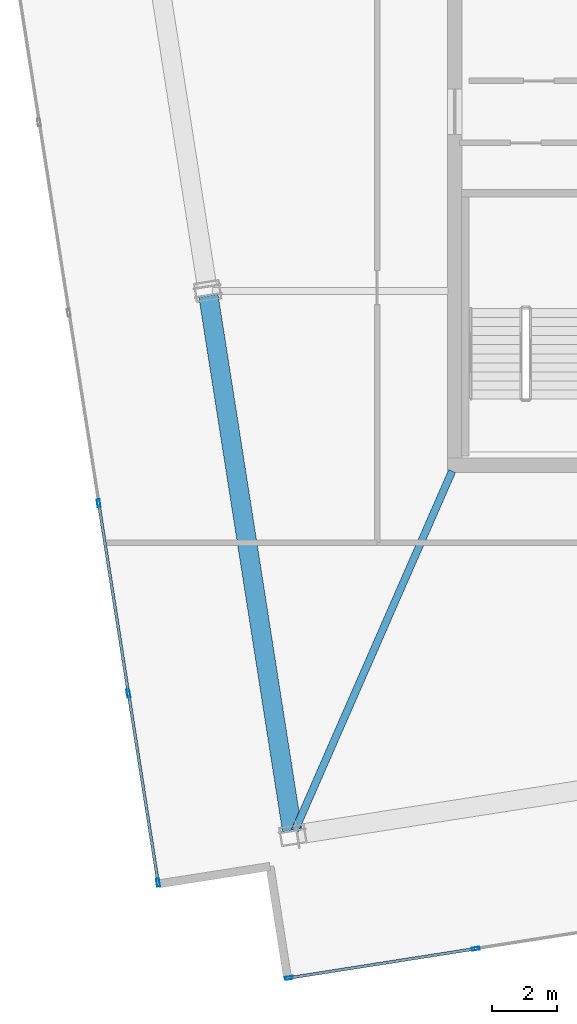
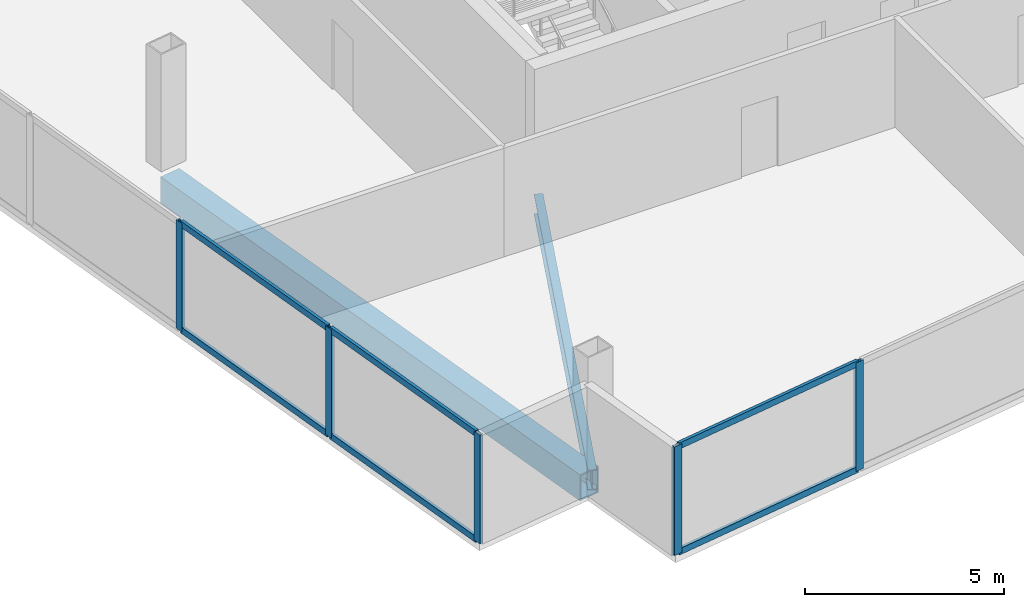
# One storey, part 2 of 17: 11 members, 2 beams, 2 elements without a shape of their own.
"""IFC4 building model written with IfcOpenShell, lengths in metres."""

from ifc_helpers import new_model, si_unit, direction, frame, origin, origin_2d, place, context, subcontext, project, spatial, hollow_rectangle, i_section, extrude, material, material_profile, profile_set, type_object, element, aggregate, save


model = new_model("IFC4")

# Units and contexts
model_context = context("Model", 3, precision=1e-05, world=origin(), true_north=direction((0.0, 1.0)))
body_context = subcontext(model_context, "Body", "Model", "MODEL_VIEW")
ifc_project = project(units=[si_unit("LENGTHUNIT", "METRE"), si_unit("AREAUNIT", "SQUARE_METRE"), si_unit("VOLUMEUNIT", "CUBIC_METRE"), si_unit("PLANEANGLEUNIT", "RADIAN"), si_unit("MASSUNIT", "GRAM", prefix="KILO")], contexts=[model_context])

# Site, building, storey
site_placement = place(None, origin())
site = spatial("IfcSite", under=ifc_project, at=site_placement, CompositionType="ELEMENT")
building_placement = place(site_placement, origin())
building = spatial("IfcBuilding", under=site, at=building_placement, Name="Haldenkirk Collegiate Tower", CompositionType="ELEMENT")
storey_placement = place(building_placement, frame((0.0, 0.0, 367.800048828125)))
storey = spatial("IfcBuildingStorey", under=building, at=storey_placement, Name="L93", CompositionType="ELEMENT", Elevation=367.800048828125)

# Beams
ifc_material_1 = material(Name="Steel ASTM A992 Grade 50", Category="steel")
ifc_material_profile_1 = material_profile(ifc_material_1, i_section(OverallWidth=0.22998046875, OverallDepth=0.616943359375, WebThickness=0.01318359375, FlangeThickness=0.022216796875, at=origin_2d()), Name="W24X94")
ifc_profile_set_1 = profile_set([ifc_material_profile_1], Name="Steel ASTM A992 Grade 50")
beam_type_1 = type_object("IfcBeamType", Name="BM-GIRDER-W24X94", PredefinedType="BEAM", material=ifc_profile_set_1)
beam_1_placement = place(storey_placement, frame((22.05078125, 6.685791015625, -0.57861328125), z_axis=(0.400769288395, 0.916179009517, 0.0), x_axis=(-0.916179009517, 0.400769288395, 0.0)))
element("IfcBeam", 1, at=beam_1_placement, inside=storey, type_object=beam_type_1, Name="L93 crown radial floor beam 7", PredefinedType="BEAM", context=body_context, shape_type="SweptSolid", body=[
    extrude(i_section(OverallWidth=0.22998046875, OverallDepth=0.616943359375, WebThickness=0.01318359375, FlangeThickness=0.022216796875, at=origin_2d()), origin(), (0.0, 0.0, 1.0), 12.1494140625),
])
ifc_material_2 = material(Name="Steel ASTM A572 Grade 50", Category="steel")
ifc_material_profile_2 = material_profile(ifc_material_2, hollow_rectangle(XDim=0.60009765625, YDim=0.800048828125, WallThickness=0.0400390625, at=origin_2d()), Name="BOX800X600X40")
ifc_profile_set_2 = profile_set([ifc_material_profile_2], Name="Steel ASTM A572 Grade 50")
beam_type_2 = type_object("IfcBeamType", Name="BM-SPANDREL-BOX800X600X40", PredefinedType="SPANDREL", material=ifc_profile_set_2)
beam_2_placement = place(storey_placement, frame((19.376220703125, 23.244873046875, -0.670166015625), z_axis=(0.154705009471, -0.987960707743, 0.0), x_axis=(0.987960707743, 0.154705009471, 0.0)))
element("IfcBeam", 2, at=beam_2_placement, inside=storey, type_object=beam_type_2, Name="L93 Crown Ring Frame perimeter girder 6", PredefinedType="SPANDREL", context=body_context, shape_type="SweptSolid", body=[
    extrude(hollow_rectangle(XDim=0.60009765625, YDim=0.800048828125, WallThickness=0.0400390625, at=origin_2d()), origin(), (0.0, 0.0, 1.0), 16.75),
])

# Curtain wall, members
ifc_material_3 = material(Name="Anodised architectural bronze aluminium", Category="aluminium")
curtain_wall_type = type_object("IfcCurtainWallType", Name="CW-SYS6-CROWN", PredefinedType="USERDEFINED", material=ifc_material_3)
curtain_wall_1_placement = place(storey_placement, origin())
curtain_wall_1 = element("IfcCurtainWall", 3, at=curtain_wall_1_placement, inside=storey, type_object=curtain_wall_type, Name="L93 Closed crown ring ceramic-fritted bronze screen curtain wall", ObjectType="UNITISED CURTAIN WALL", PredefinedType="USERDEFINED")
ifc_material_profile_3 = material_profile(ifc_material_3, hollow_rectangle(XDim=0.090087890625, YDim=0.239990234375, WallThickness=0.0048828125, at=origin_2d()), Name="CW-MUL-06")
ifc_profile_set_3 = profile_set([ifc_material_profile_3], Name="Anodised architectural bronze aluminium")
member_type_1 = type_object("IfcMemberType", Name="CW-MUL-06", PredefinedType="MULLION", material=ifc_profile_set_3)
member_1_placement = place(storey_placement, frame((17.817626953125, 5.080078125, 0.0), z_axis=(0.0, 0.0, 1.0), x_axis=(-0.987959532462, -0.154712514742, 0.0)))
member_1 = element("IfcMember", 4, at=member_1_placement, type_object=member_type_1, Name="CW-06 mullion 1", PredefinedType="MULLION", context=body_context, shape_type="SweptSolid", body=[
    extrude(hollow_rectangle(XDim=0.090087890625, YDim=0.239990234375, WallThickness=0.0048828125, at=origin_2d()), origin(), (0.0, 0.0, 1.0), 3.329833984375),
])
member_2_placement = place(storey_placement, frame((16.9013671875, 10.930419921875, 0.0), z_axis=(0.0, 0.0, 1.0), x_axis=(-0.987959532462, -0.154712514742, 0.0)))
member_2 = element("IfcMember", 5, at=member_2_placement, type_object=member_type_1, Name="CW-06 mullion 2", PredefinedType="MULLION", context=body_context, shape_type="SweptSolid", body=[
    extrude(hollow_rectangle(XDim=0.090087890625, YDim=0.239990234375, WallThickness=0.0048828125, at=origin_2d()), origin(), (0.0, 0.0, 1.0), 3.329833984375),
])
member_3_placement = place(storey_placement, frame((15.978271484375, 16.825439453125, 0.0), z_axis=(0.0, 0.0, 1.0), x_axis=(-0.987959532462, -0.154712514742, 0.0)))
member_3 = element("IfcMember", 6, at=member_3_placement, type_object=member_type_1, Name="CW-06 mullion 3", PredefinedType="MULLION", context=body_context, shape_type="SweptSolid", body=[
    extrude(hollow_rectangle(XDim=0.090087890625, YDim=0.239990234375, WallThickness=0.0048828125, at=origin_2d()), origin(), (0.0, 0.0, 1.0), 3.329833984375),
])

curtain_wall_2_placement = place(storey_placement, origin())
curtain_wall_2 = element("IfcCurtainWall", 7, at=curtain_wall_2_placement, inside=storey, type_object=curtain_wall_type, Name="L93 Closed crown ring ceramic-fritted bronze screen curtain wall", ObjectType="UNITISED CURTAIN WALL", PredefinedType="USERDEFINED")
member_4_placement = place(storey_placement, frame((27.65283203125, 3.031982421875, 0.0), z_axis=(0.0, 0.0, 1.0), x_axis=(0.154708982189, -0.987960085646, 0.0)))
member_4 = element("IfcMember", 8, at=member_4_placement, type_object=member_type_1, Name="CW-06 mullion 6", PredefinedType="MULLION", context=body_context, shape_type="SweptSolid", body=[
    extrude(hollow_rectangle(XDim=0.090087890625, YDim=0.239990234375, WallThickness=0.0048828125, at=origin_2d()), origin(), (0.0, 0.0, 1.0), 3.329833984375),
])
member_5_placement = place(storey_placement, frame((21.868408203125, 2.126220703125, 0.0), z_axis=(0.0, 0.0, 1.0), x_axis=(0.154708982189, -0.987960085646, 0.0)))
member_5 = element("IfcMember", 9, at=member_5_placement, type_object=member_type_1, Name="CW-06 mullion 7", PredefinedType="MULLION", context=body_context, shape_type="SweptSolid", body=[
    extrude(hollow_rectangle(XDim=0.090087890625, YDim=0.239990234375, WallThickness=0.0048828125, at=origin_2d()), origin(), (0.0, 0.0, 1.0), 3.329833984375),
])

# Member
ifc_material_profile_4 = material_profile(ifc_material_3, hollow_rectangle(XDim=0.090087890625, YDim=0.18994140625, WallThickness=0.0048828125, at=origin_2d()), Name="CW-TRN-06")
ifc_profile_set_4 = profile_set([ifc_material_profile_4], Name="Anodised architectural bronze aluminium")
member_type_2 = type_object("IfcMemberType", Name="CW-TRN-06", PredefinedType="USERDEFINED", material=ifc_profile_set_4)
member_6_placement = place(storey_placement, frame((17.810791015625, 5.12451171875, 0.044921875), z_axis=(-0.154730622105, 0.987956696714, 0.0), x_axis=(-0.987956696714, -0.154730622105, 0.0)))
member_6 = element("IfcMember", 10, at=member_6_placement, type_object=member_type_2, Name="CW-06 transom 1.1", ObjectType="TRANSOM", PredefinedType="USERDEFINED", context=body_context, shape_type="SweptSolid", body=[
    extrude(hollow_rectangle(XDim=0.090087890625, YDim=0.18994140625, WallThickness=0.0048828125, at=origin_2d()), origin(), (0.0, 0.0, 1.0), 5.831787109375),
])

member_7_placement = place(storey_placement, frame((17.810791015625, 5.12451171875, 3.284912109375), z_axis=(-0.154730622105, 0.987956696714, 0.0), x_axis=(-0.987956696714, -0.154730622105, 0.0)))
member_7 = element("IfcMember", 11, at=member_7_placement, type_object=member_type_2, Name="CW-06 transom 1.2", ObjectType="TRANSOM", PredefinedType="USERDEFINED", context=body_context, shape_type="SweptSolid", body=[
    extrude(hollow_rectangle(XDim=0.090087890625, YDim=0.18994140625, WallThickness=0.0048828125, at=origin_2d()), origin(), (0.0, 0.0, 1.0), 5.831787109375),
])

member_8_placement = place(storey_placement, frame((16.89453125, 10.974853515625, 0.044921875), z_axis=(-0.154710174658, 0.987959898912, 0.0), x_axis=(-0.987959898912, -0.154710174658, 0.0)))
member_8 = element("IfcMember", 12, at=member_8_placement, type_object=member_type_2, Name="CW-06 transom 2.1", ObjectType="TRANSOM", PredefinedType="USERDEFINED", context=body_context, shape_type="SweptSolid", body=[
    extrude(hollow_rectangle(XDim=0.090087890625, YDim=0.18994140625, WallThickness=0.0048828125, at=origin_2d()), origin(), (0.0, 0.0, 1.0), 5.876708984375),
])

member_9_placement = place(storey_placement, frame((16.89453125, 10.974853515625, 3.284912109375), z_axis=(-0.154710174658, 0.987959898912, 0.0), x_axis=(-0.987959898912, -0.154710174658, 0.0)))
member_9 = element("IfcMember", 13, at=member_9_placement, type_object=member_type_2, Name="CW-06 transom 2.2", ObjectType="TRANSOM", PredefinedType="USERDEFINED", context=body_context, shape_type="SweptSolid", body=[
    extrude(hollow_rectangle(XDim=0.090087890625, YDim=0.18994140625, WallThickness=0.0048828125, at=origin_2d()), origin(), (0.0, 0.0, 1.0), 5.876708984375),
])

aggregate(curtain_wall_1, [member_1, member_2, member_3, member_6, member_7, member_8, member_9])

member_10_placement = place(storey_placement, frame((27.6083984375, 3.025146484375, 0.044921875), z_axis=(-0.987961315074, -0.154701130951, 0.0), x_axis=(0.154701130951, -0.987961315074, 0.0)))
member_10 = element("IfcMember", 14, at=member_10_placement, type_object=member_type_2, Name="CW-06 transom 6.1", ObjectType="TRANSOM", PredefinedType="USERDEFINED", context=body_context, shape_type="SweptSolid", body=[
    extrude(hollow_rectangle(XDim=0.090087890625, YDim=0.18994140625, WallThickness=0.0048828125, at=origin_2d()), origin(), (0.0, 0.0, 1.0), 5.764892578125),
])

member_11_placement = place(storey_placement, frame((27.6083984375, 3.025146484375, 3.284912109375), z_axis=(-0.987961315074, -0.154701130951, 0.0), x_axis=(0.154701130951, -0.987961315074, 0.0)))
member_11 = element("IfcMember", 15, at=member_11_placement, type_object=member_type_2, Name="CW-06 transom 6.2", ObjectType="TRANSOM", PredefinedType="USERDEFINED", context=body_context, shape_type="SweptSolid", body=[
    extrude(hollow_rectangle(XDim=0.090087890625, YDim=0.18994140625, WallThickness=0.0048828125, at=origin_2d()), origin(), (0.0, 0.0, 1.0), 5.764892578125),
])

aggregate(curtain_wall_2, [member_4, member_5, member_10, member_11])

save(model, "model.ifc")
